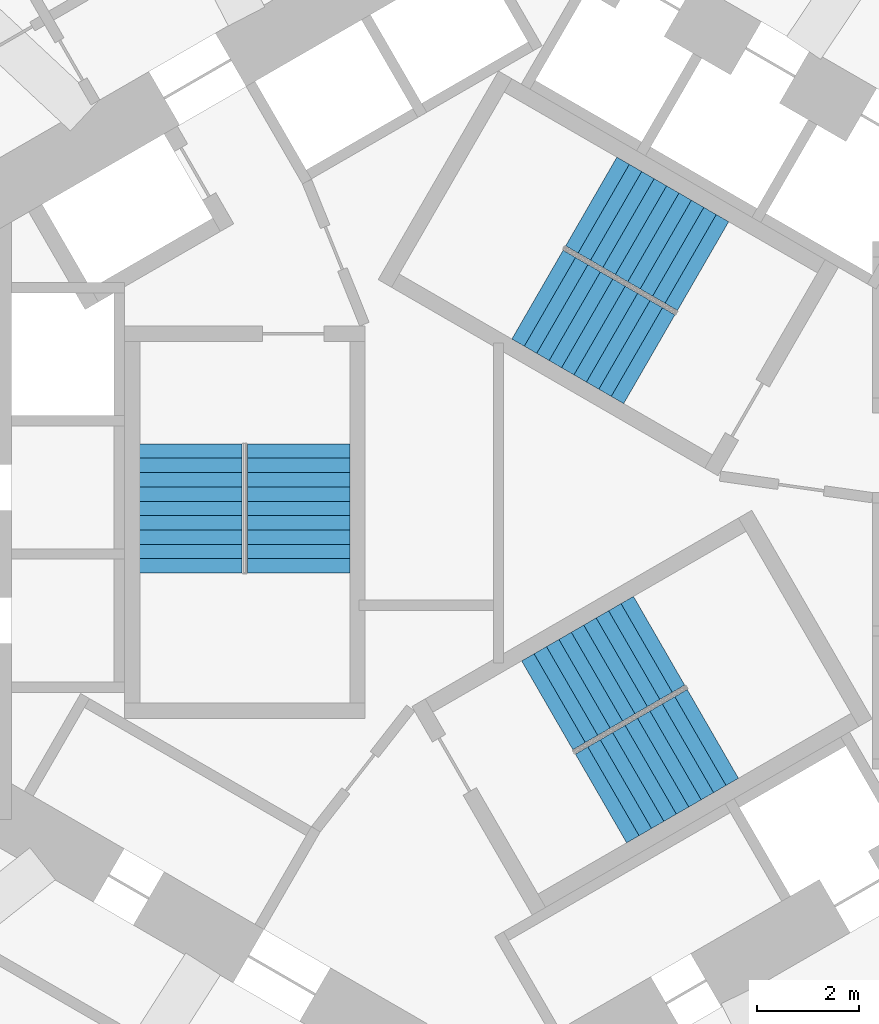
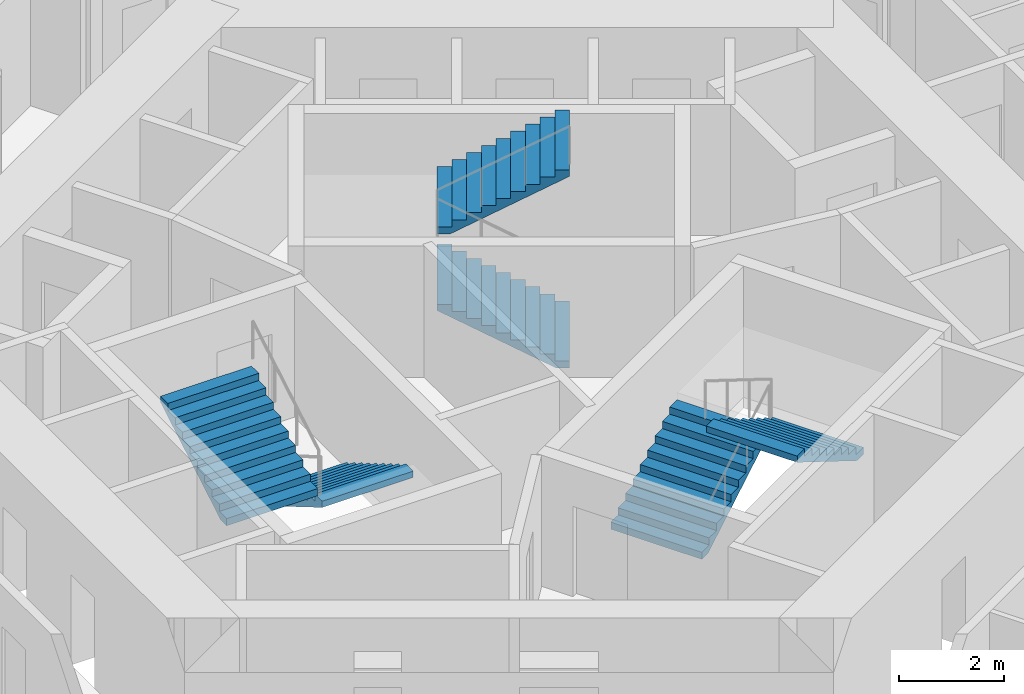
# One storey, part 10 of 12: 6 stair flights, 3 elements without a shape of their own.
"""IFC4 building model written with IfcOpenShell, lengths in metres."""

from ifc_helpers import new_model, si_unit, direction, frame, origin, place, context, subcontext, project, spatial, triangles, source, transform, mapped, material, type_object, element, aggregate, save


model = new_model("IFC4")

# Units and contexts
model_context = context("Model", 3, precision=1e-05, world=origin(), true_north=direction((0.0, 1.0)))
body_context = subcontext(model_context, "Body", "Model", "MODEL_VIEW")
ifc_project = project(units=[si_unit("LENGTHUNIT", "METRE"), si_unit("AREAUNIT", "SQUARE_METRE"), si_unit("VOLUMEUNIT", "CUBIC_METRE"), si_unit("PLANEANGLEUNIT", "RADIAN"), si_unit("MASSUNIT", "GRAM", prefix="KILO")], contexts=[model_context])

# Site, building, storey
site_placement = place(None, origin())
site = spatial("IfcSite", under=ifc_project, at=site_placement, CompositionType="ELEMENT")
building_placement = place(site_placement, origin())
building = spatial("IfcBuilding", under=site, at=building_placement, Name="Vanh Sen Convention Tower", CompositionType="ELEMENT")
storey_placement = place(building_placement, frame((0.0, 0.0, 113.300048828125)))
storey = spatial("IfcBuildingStorey", under=building, at=storey_placement, Name="L27", CompositionType="ELEMENT", Elevation=113.300048828125)

# Stair, stair flights
ifc_material_1 = material(Name="Concrete C50/60", Category="concrete")
stair_type_1 = type_object("IfcStairType", Name="Exit stair ST1 20 risers at 165.0", PredefinedType="HALF_TURN_STAIR", material=ifc_material_1)
stair_1_placement = place(storey_placement, origin())
stair_1 = element("IfcStair", 1, at=stair_1_placement, inside=storey, type_object=stair_type_1, Name="Exit stair ST1 L27", PredefinedType="HALF_TURN_STAIR")
ifc_material_2 = material(Name="Concrete C40/50", Category="concrete")
stair_flight_type = type_object("IfcStairFlightType", Name="Stair flight 2000", PredefinedType="STRAIGHT", material=ifc_material_2)
shared_shape = source(origin(), body_context, "Body", "Tessellation", [
    triangles([(0.24609375, 1.0, 0.0), (0.0, 1.0, 0.0), (0.0, 1.0, 0.1650390625), (0.280029296875, 1.0, 0.1650390625), (0.280029296875, 1.0, 0.330078125), (0.56005859375, 1.0, 0.330078125), (0.56005859375, 1.0, 0.4951171875), (0.840087890625, 1.0, 0.4951171875), (0.840087890625, 1.0, 0.659912109375), (1.1201171875, 1.0, 0.659912109375), (1.1201171875, 1.0, 0.824951171875), (1.39990234375, 1.0, 0.824951171875), (1.39990234375, 1.0, 0.989990234375), (1.679931640625, 1.0, 0.989990234375), (1.679931640625, 1.0, 1.155029296875), (1.9599609375, 1.0, 1.155029296875), (1.9599609375, 1.0, 1.320068359375), (2.239990234375, 1.0, 1.320068359375), (2.239990234375, 1.0, 1.485107421875), (2.52001953125, 1.0, 1.485107421875), (2.52001953125, 1.0, 1.33984375), (0.24609375, -1.0, 0.0), (0.0, -1.0, 0.0), (0.0, -1.0, 0.1650390625), (0.280029296875, -1.0, 0.1650390625), (0.280029296875, -1.0, 0.330078125), (0.56005859375, -1.0, 0.330078125), (0.56005859375, -1.0, 0.4951171875), (0.840087890625, -1.0, 0.4951171875), (0.840087890625, -1.0, 0.659912109375), (1.1201171875, -1.0, 0.659912109375), (1.1201171875, -1.0, 0.824951171875), (1.39990234375, -1.0, 0.824951171875), (1.39990234375, -1.0, 0.989990234375), (1.679931640625, -1.0, 0.989990234375), (1.679931640625, -1.0, 1.155029296875), (1.9599609375, -1.0, 1.155029296875), (1.9599609375, -1.0, 1.320068359375), (2.239990234375, -1.0, 1.320068359375), (2.239990234375, -1.0, 1.485107421875), (2.52001953125, -1.0, 1.485107421875), (2.52001953125, -1.0, 1.33984375), (0.0, 0.0400390625, 0.0), (0.0, 0.0390625, 0.0), (0.0, 0.0380859375, 0.0), (0.0, 0.037109375, 0.0), (0.0, 0.035888671875, 0.0), (0.0, 0.034912109375, 0.0), (0.0, 0.033935546875, 0.0), (0.0, 0.032958984375, 0.0), (0.0, 0.031982421875, 0.0), (0.0, 0.031005859375, 0.0), (0.0, 0.030029296875, 0.0), (0.0, 0.029052734375, 0.0), (0.0, 0.028076171875, 0.0), (0.0, 0.027099609375, 0.0), (0.0, 0.02587890625, 0.0), (0.0, 0.02490234375, 0.0), (0.0, 0.02392578125, 0.0), (0.0, 0.02294921875, 0.0), (0.0, 0.02197265625, 0.0), (0.0, 0.02099609375, 0.0), (0.0, 0.02001953125, 0.0), (0.0, 0.01904296875, 0.0), (0.0, 0.01806640625, 0.0), (0.0, 0.01708984375, 0.0), (0.0, 0.01611328125, 0.0), (0.0, 0.014892578125, 0.0), (0.0, 0.013916015625, 0.0), (0.0, 0.012939453125, 0.0), (0.0, 0.011962890625, 0.0), (0.0, 0.010986328125, 0.0), (0.0, 0.010009765625, 0.0), (0.0, 0.009033203125, 0.0), (0.0, 0.008056640625, 0.0), (0.0, 0.007080078125, 0.0), (0.0, 0.006103515625, 0.0), (0.0, 0.0048828125, 0.0), (0.0, 0.00390625, 0.0), (0.0, 0.0029296875, 0.0), (0.0, 0.001953125, 0.0), (0.0, 0.0009765625, 0.0), (0.0, 0.0, 0.0), (0.0, -0.0009765625, 0.0), (0.0, -0.001953125, 0.0), (0.0, -0.0029296875, 0.0), (0.0, -0.00390625, 0.0), (0.0, -0.0048828125, 0.0), (0.0, -0.006103515625, 0.0), (0.0, -0.007080078125, 0.0), (0.0, -0.008056640625, 0.0), (0.0, -0.009033203125, 0.0), (0.0, -0.010009765625, 0.0), (0.0, -0.010986328125, 0.0), (0.0, -0.011962890625, 0.0), (0.0, -0.012939453125, 0.0), (0.0, -0.013916015625, 0.0), (0.0, -0.014892578125, 0.0), (0.0, -0.01611328125, 0.0), (0.0, -0.01708984375, 0.0), (0.0, -0.01806640625, 0.0), (0.0, -0.01904296875, 0.0), (0.0, -0.02001953125, 0.0), (0.0, -0.02099609375, 0.0), (0.0, -0.02197265625, 0.0), (0.0, -0.02294921875, 0.0), (0.0, -0.02392578125, 0.0), (0.0, -0.02490234375, 0.0), (0.0, -0.02587890625, 0.0), (0.0, -0.027099609375, 0.0), (0.0, -0.028076171875, 0.0), (0.0, -0.029052734375, 0.0), (0.0, -0.030029296875, 0.0), (0.0, -0.031005859375, 0.0), (0.0, -0.031982421875, 0.0), (0.0, -0.032958984375, 0.0), (0.0, -0.033935546875, 0.0), (0.0, -0.034912109375, 0.0), (0.0, -0.035888671875, 0.0), (0.0, -0.037109375, 0.0), (0.0, -0.0380859375, 0.0), (0.0, -0.0390625, 0.0), (0.0, -0.0400390625, 0.0), (0.0, 0.0400390625, 0.1650390625), (0.0, 0.0390625, 0.1650390625), (0.0, 0.0380859375, 0.1650390625), (0.0, 0.037109375, 0.1650390625), (0.0, 0.035888671875, 0.1650390625), (0.0, 0.034912109375, 0.1650390625), (0.0, 0.033935546875, 0.1650390625), (0.0, 0.032958984375, 0.1650390625), (0.0, 0.031982421875, 0.1650390625), (0.0, 0.031005859375, 0.1650390625), (0.0, 0.030029296875, 0.1650390625), (0.0, 0.029052734375, 0.1650390625), (0.0, 0.028076171875, 0.1650390625), (0.0, 0.027099609375, 0.1650390625), (0.0, 0.02587890625, 0.1650390625), (0.0, 0.02490234375, 0.1650390625), (0.0, 0.02392578125, 0.1650390625), (0.0, 0.02294921875, 0.1650390625), (0.0, 0.02197265625, 0.1650390625), (0.0, 0.02099609375, 0.1650390625), (0.0, 0.02001953125, 0.1650390625), (0.0, 0.01904296875, 0.1650390625), (0.0, 0.01806640625, 0.1650390625), (0.0, 0.01708984375, 0.1650390625), (0.0, 0.01611328125, 0.1650390625), (0.0, 0.014892578125, 0.1650390625), (0.0, 0.013916015625, 0.1650390625), (0.0, 0.012939453125, 0.1650390625), (0.0, 0.011962890625, 0.1650390625), (0.0, 0.010986328125, 0.1650390625), (0.0, 0.010009765625, 0.1650390625), (0.0, 0.009033203125, 0.1650390625), (0.0, 0.008056640625, 0.1650390625), (0.0, 0.007080078125, 0.1650390625), (0.0, 0.006103515625, 0.1650390625), (0.0, 0.0048828125, 0.1650390625), (0.0, 0.00390625, 0.1650390625), (0.0, 0.0029296875, 0.1650390625), (0.0, 0.001953125, 0.1650390625), (0.0, 0.0009765625, 0.1650390625), (0.0, 0.0, 0.1650390625), (0.0, -0.0009765625, 0.1650390625), (0.0, -0.001953125, 0.1650390625), (0.0, -0.0029296875, 0.1650390625), (0.0, -0.00390625, 0.1650390625), (0.0, -0.0048828125, 0.1650390625), (0.0, -0.006103515625, 0.1650390625), (0.0, -0.007080078125, 0.1650390625), (0.0, -0.008056640625, 0.1650390625), (0.0, -0.009033203125, 0.1650390625), (0.0, -0.010009765625, 0.1650390625), (0.0, -0.010986328125, 0.1650390625), (0.0, -0.011962890625, 0.1650390625), (0.0, -0.012939453125, 0.1650390625), (0.0, -0.013916015625, 0.1650390625), (0.0, -0.014892578125, 0.1650390625), (0.0, -0.01611328125, 0.1650390625), (0.0, -0.01708984375, 0.1650390625), (0.0, -0.01806640625, 0.1650390625), (0.0, -0.01904296875, 0.1650390625), (0.0, -0.02001953125, 0.1650390625), (0.0, -0.02099609375, 0.1650390625), (0.0, -0.02197265625, 0.1650390625), (0.0, -0.02294921875, 0.1650390625), (0.0, -0.02392578125, 0.1650390625), (0.0, -0.02490234375, 0.1650390625), (0.0, -0.02587890625, 0.1650390625), (0.0, -0.027099609375, 0.1650390625), (0.0, -0.028076171875, 0.1650390625), (0.0, -0.029052734375, 0.1650390625), (0.0, -0.030029296875, 0.1650390625), (0.0, -0.031005859375, 0.1650390625), (0.0, -0.031982421875, 0.1650390625), (0.0, -0.032958984375, 0.1650390625), (0.0, -0.033935546875, 0.1650390625), (0.0, -0.034912109375, 0.1650390625), (0.0, -0.035888671875, 0.1650390625), (0.0, -0.037109375, 0.1650390625), (0.0, -0.0380859375, 0.1650390625), (0.0, -0.0390625, 0.1650390625), (0.0, -0.0400390625, 0.1650390625), (0.280029296875, 0.0, 0.1650390625), (0.280029296875, 0.0, 0.330078125), (0.56005859375, 0.0, 0.330078125), (0.56005859375, 0.0, 0.4951171875), (0.840087890625, 0.0, 0.4951171875), (0.840087890625, 0.0, 0.659912109375), (1.1201171875, 0.0, 0.659912109375), (1.1201171875, 0.0, 0.824951171875), (1.39990234375, 0.0, 0.824951171875), (1.39990234375, 0.0, 0.989990234375), (1.679931640625, 0.0, 0.989990234375), (1.679931640625, 0.0, 1.155029296875), (1.9599609375, 0.0, 1.155029296875), (1.9599609375, 0.0, 1.320068359375), (2.239990234375, 0.0, 1.320068359375), (2.239990234375, 0.0, 1.485107421875), (2.52001953125, 0.0400390625, 1.485107421875), (2.52001953125, 0.0390625, 1.485107421875), (2.52001953125, 0.0380859375, 1.485107421875), (2.52001953125, 0.037109375, 1.485107421875), (2.52001953125, 0.035888671875, 1.485107421875), (2.52001953125, 0.034912109375, 1.485107421875), (2.52001953125, 0.033935546875, 1.485107421875), (2.52001953125, 0.032958984375, 1.485107421875), (2.52001953125, 0.031982421875, 1.485107421875), (2.52001953125, 0.031005859375, 1.485107421875), (2.52001953125, 0.030029296875, 1.485107421875), (2.52001953125, 0.029052734375, 1.485107421875), (2.52001953125, 0.028076171875, 1.485107421875), (2.52001953125, 0.027099609375, 1.485107421875), (2.52001953125, 0.02587890625, 1.485107421875), (2.52001953125, 0.02490234375, 1.485107421875), (2.52001953125, 0.02392578125, 1.485107421875), (2.52001953125, 0.02294921875, 1.485107421875), (2.52001953125, 0.02197265625, 1.485107421875), (2.52001953125, 0.02099609375, 1.485107421875), (2.52001953125, 0.02001953125, 1.485107421875), (2.52001953125, 0.01904296875, 1.485107421875), (2.52001953125, 0.01806640625, 1.485107421875), (2.52001953125, 0.01708984375, 1.485107421875), (2.52001953125, 0.01611328125, 1.485107421875), (2.52001953125, 0.014892578125, 1.485107421875), (2.52001953125, 0.013916015625, 1.485107421875), (2.52001953125, 0.012939453125, 1.485107421875), (2.52001953125, 0.011962890625, 1.485107421875), (2.52001953125, 0.010986328125, 1.485107421875), (2.52001953125, 0.010009765625, 1.485107421875), (2.52001953125, 0.009033203125, 1.485107421875), (2.52001953125, 0.008056640625, 1.485107421875), (2.52001953125, 0.007080078125, 1.485107421875), (2.52001953125, 0.006103515625, 1.485107421875), (2.52001953125, 0.0048828125, 1.485107421875), (2.52001953125, 0.00390625, 1.485107421875), (2.52001953125, 0.0029296875, 1.485107421875), (2.52001953125, 0.001953125, 1.485107421875), (2.52001953125, 0.0009765625, 1.485107421875), (2.52001953125, 0.0, 1.485107421875), (2.52001953125, -0.0009765625, 1.485107421875), (2.52001953125, -0.001953125, 1.485107421875), (2.52001953125, -0.0029296875, 1.485107421875), (2.52001953125, -0.00390625, 1.485107421875), (2.52001953125, -0.0048828125, 1.485107421875), (2.52001953125, -0.006103515625, 1.485107421875), (2.52001953125, -0.007080078125, 1.485107421875), (2.52001953125, -0.008056640625, 1.485107421875), (2.52001953125, -0.009033203125, 1.485107421875), (2.52001953125, -0.010009765625, 1.485107421875), (2.52001953125, -0.010986328125, 1.485107421875), (2.52001953125, -0.011962890625, 1.485107421875), (2.52001953125, -0.012939453125, 1.485107421875), (2.52001953125, -0.013916015625, 1.485107421875), (2.52001953125, -0.014892578125, 1.485107421875), (2.52001953125, -0.01611328125, 1.485107421875), (2.52001953125, -0.01708984375, 1.485107421875), (2.52001953125, -0.01806640625, 1.485107421875), (2.52001953125, -0.01904296875, 1.485107421875), (2.52001953125, -0.02001953125, 1.485107421875), (2.52001953125, -0.02099609375, 1.485107421875), (2.52001953125, -0.02197265625, 1.485107421875), (2.52001953125, -0.02294921875, 1.485107421875), (2.52001953125, -0.02392578125, 1.485107421875), (2.52001953125, -0.02490234375, 1.485107421875), (2.52001953125, -0.02587890625, 1.485107421875), (2.52001953125, -0.027099609375, 1.485107421875), (2.52001953125, -0.028076171875, 1.485107421875), (2.52001953125, -0.029052734375, 1.485107421875), (2.52001953125, -0.030029296875, 1.485107421875), (2.52001953125, -0.031005859375, 1.485107421875), (2.52001953125, -0.031982421875, 1.485107421875), (2.52001953125, -0.032958984375, 1.485107421875), (2.52001953125, -0.033935546875, 1.485107421875), (2.52001953125, -0.034912109375, 1.485107421875), (2.52001953125, -0.035888671875, 1.485107421875), (2.52001953125, -0.037109375, 1.485107421875), (2.52001953125, -0.0380859375, 1.485107421875), (2.52001953125, -0.0390625, 1.485107421875), (2.52001953125, -0.0400390625, 1.485107421875), (2.52001953125, 0.0400390625, 1.33984375), (2.52001953125, 0.0390625, 1.33984375), (2.52001953125, 0.0380859375, 1.33984375), (2.52001953125, 0.037109375, 1.33984375), (2.52001953125, 0.035888671875, 1.33984375), (2.52001953125, 0.034912109375, 1.33984375), (2.52001953125, 0.033935546875, 1.33984375), (2.52001953125, 0.032958984375, 1.33984375), (2.52001953125, 0.031982421875, 1.33984375), (2.52001953125, 0.031005859375, 1.33984375), (2.52001953125, 0.030029296875, 1.33984375), (2.52001953125, 0.029052734375, 1.33984375), (2.52001953125, 0.028076171875, 1.33984375), (2.52001953125, 0.027099609375, 1.33984375), (2.52001953125, 0.02587890625, 1.33984375), (2.52001953125, 0.02490234375, 1.33984375), (2.52001953125, 0.02392578125, 1.33984375), (2.52001953125, 0.02294921875, 1.33984375), (2.52001953125, 0.02197265625, 1.33984375), (2.52001953125, 0.02099609375, 1.33984375), (2.52001953125, 0.02001953125, 1.33984375), (2.52001953125, 0.01904296875, 1.33984375), (2.52001953125, 0.01806640625, 1.33984375), (2.52001953125, 0.01708984375, 1.33984375), (2.52001953125, 0.01611328125, 1.33984375), (2.52001953125, 0.014892578125, 1.33984375), (2.52001953125, 0.013916015625, 1.33984375), (2.52001953125, 0.012939453125, 1.33984375), (2.52001953125, 0.011962890625, 1.33984375), (2.52001953125, 0.010986328125, 1.33984375), (2.52001953125, 0.010009765625, 1.33984375), (2.52001953125, 0.009033203125, 1.33984375), (2.52001953125, 0.008056640625, 1.33984375), (2.52001953125, 0.007080078125, 1.33984375), (2.52001953125, 0.006103515625, 1.33984375), (2.52001953125, 0.0048828125, 1.33984375), (2.52001953125, 0.00390625, 1.33984375), (2.52001953125, 0.0029296875, 1.33984375), (2.52001953125, 0.001953125, 1.33984375), (2.52001953125, 0.0009765625, 1.33984375), (2.52001953125, 0.0, 1.33984375), (2.52001953125, -0.0009765625, 1.33984375), (2.52001953125, -0.001953125, 1.33984375), (2.52001953125, -0.0029296875, 1.33984375), (2.52001953125, -0.00390625, 1.33984375), (2.52001953125, -0.0048828125, 1.33984375), (2.52001953125, -0.006103515625, 1.33984375), (2.52001953125, -0.007080078125, 1.33984375), (2.52001953125, -0.008056640625, 1.33984375), (2.52001953125, -0.009033203125, 1.33984375), (2.52001953125, -0.010009765625, 1.33984375), (2.52001953125, -0.010986328125, 1.33984375), (2.52001953125, -0.011962890625, 1.33984375), (2.52001953125, -0.012939453125, 1.33984375), (2.52001953125, -0.013916015625, 1.33984375), (2.52001953125, -0.014892578125, 1.33984375), (2.52001953125, -0.01611328125, 1.33984375), (2.52001953125, -0.01708984375, 1.33984375), (2.52001953125, -0.01806640625, 1.33984375), (2.52001953125, -0.01904296875, 1.33984375), (2.52001953125, -0.02001953125, 1.33984375), (2.52001953125, -0.02099609375, 1.33984375), (2.52001953125, -0.02197265625, 1.33984375), (2.52001953125, -0.02294921875, 1.33984375), (2.52001953125, -0.02392578125, 1.33984375), (2.52001953125, -0.02490234375, 1.33984375), (2.52001953125, -0.02587890625, 1.33984375), (2.52001953125, -0.027099609375, 1.33984375), (2.52001953125, -0.028076171875, 1.33984375), (2.52001953125, -0.029052734375, 1.33984375), (2.52001953125, -0.030029296875, 1.33984375), (2.52001953125, -0.031005859375, 1.33984375), (2.52001953125, -0.031982421875, 1.33984375), (2.52001953125, -0.032958984375, 1.33984375), (2.52001953125, -0.033935546875, 1.33984375), (2.52001953125, -0.034912109375, 1.33984375), (2.52001953125, -0.035888671875, 1.33984375), (2.52001953125, -0.037109375, 1.33984375), (2.52001953125, -0.0380859375, 1.33984375), (2.52001953125, -0.0390625, 1.33984375), (2.52001953125, -0.0400390625, 1.33984375), (0.24609375, 0.0, 0.0)], [[1, 2, 3], [1, 3, 4], [4, 5, 6], [1, 4, 6], [6, 7, 8], [1, 6, 8], [8, 9, 10], [1, 8, 10], [10, 11, 12], [1, 10, 12], [12, 13, 14], [1, 12, 14], [14, 15, 16], [1, 14, 16], [16, 17, 18], [1, 16, 18], [18, 19, 20], [1, 18, 20], [20, 21, 1], [22, 24, 23], [22, 25, 24], [25, 27, 26], [22, 27, 25], [27, 29, 28], [22, 29, 27], [29, 31, 30], [22, 31, 29], [31, 33, 32], [22, 33, 31], [33, 35, 34], [22, 35, 33], [35, 37, 36], [22, 37, 35], [37, 39, 38], [22, 39, 37], [39, 41, 40], [22, 41, 39], [41, 22, 42], [2, 124, 3], [2, 43, 124], [43, 125, 124], [43, 44, 125], [44, 126, 125], [44, 45, 126], [45, 127, 126], [45, 46, 127], [46, 128, 127], [46, 47, 128], [47, 129, 128], [47, 48, 129], [48, 130, 129], [48, 49, 130], [49, 131, 130], [49, 50, 131], [50, 132, 131], [50, 51, 132], [51, 133, 132], [51, 52, 133], [52, 134, 133], [52, 53, 134], [53, 135, 134], [53, 54, 135], [54, 136, 135], [54, 55, 136], [55, 137, 136], [55, 56, 137], [56, 138, 137], [56, 57, 138], [57, 139, 138], [57, 58, 139], [58, 140, 139], [58, 59, 140], [59, 141, 140], [59, 60, 141], [60, 142, 141], [60, 61, 142], [61, 143, 142], [61, 62, 143], [62, 144, 143], [62, 63, 144], [63, 145, 144], [63, 64, 145], [64, 146, 145], [64, 65, 146], [65, 147, 146], [65, 66, 147], [66, 148, 147], [66, 67, 148], [67, 149, 148], [67, 68, 149], [68, 150, 149], [68, 69, 150], [69, 151, 150], [69, 70, 151], [70, 152, 151], [70, 71, 152], [71, 153, 152], [71, 72, 153], [72, 154, 153], [72, 73, 154], [73, 155, 154], [73, 74, 155], [74, 156, 155], [74, 75, 156], [75, 157, 156], [75, 76, 157], [76, 158, 157], [76, 77, 158], [77, 159, 158], [77, 78, 159], [78, 160, 159], [78, 79, 160], [79, 161, 160], [79, 80, 161], [80, 162, 161], [80, 81, 162], [81, 163, 162], [81, 82, 163], [82, 164, 163], [82, 83, 164], [83, 84, 164], [164, 84, 165], [84, 85, 165], [165, 85, 166], [85, 86, 166], [166, 86, 167], [86, 87, 167], [167, 87, 168], [87, 88, 168], [168, 88, 169], [88, 89, 169], [169, 89, 170], [89, 90, 170], [170, 90, 171], [90, 91, 171], [171, 91, 172], [91, 92, 172], [172, 92, 173], [92, 93, 173], [173, 93, 174], [93, 94, 174], [174, 94, 175], [94, 95, 175], [175, 95, 176], [95, 96, 176], [176, 96, 177], [96, 97, 177], [177, 97, 178], [97, 98, 178], [178, 98, 179], [98, 99, 179], [179, 99, 180], [99, 100, 180], [180, 100, 181], [100, 101, 181], [181, 101, 182], [101, 102, 182], [182, 102, 183], [102, 103, 183], [183, 103, 184], [103, 104, 184], [184, 104, 185], [104, 105, 185], [185, 105, 186], [105, 106, 186], [186, 106, 187], [106, 107, 187], [187, 107, 188], [107, 108, 188], [188, 108, 189], [108, 109, 189], [189, 109, 190], [109, 110, 190], [190, 110, 191], [110, 111, 191], [191, 111, 192], [111, 112, 192], [192, 112, 193], [112, 113, 193], [193, 113, 194], [113, 114, 194], [194, 114, 195], [114, 115, 195], [195, 115, 196], [115, 116, 196], [196, 116, 197], [116, 117, 197], [197, 117, 198], [117, 118, 198], [198, 118, 199], [118, 119, 199], [199, 119, 200], [119, 120, 200], [200, 120, 201], [120, 121, 201], [201, 121, 202], [121, 122, 202], [202, 122, 203], [122, 123, 203], [203, 123, 204], [123, 23, 204], [204, 23, 24], [4, 3, 124], [4, 124, 125], [4, 125, 126], [4, 126, 127], [4, 127, 128], [4, 128, 129], [4, 129, 130], [4, 130, 131], [4, 131, 132], [4, 132, 133], [4, 133, 134], [4, 134, 135], [4, 135, 136], [4, 136, 137], [4, 137, 138], [4, 138, 139], [4, 139, 140], [4, 140, 141], [4, 141, 142], [4, 142, 143], [4, 143, 144], [4, 144, 145], [4, 145, 146], [4, 146, 147], [4, 147, 148], [4, 148, 149], [4, 149, 150], [4, 150, 151], [4, 151, 152], [4, 152, 153], [4, 153, 154], [4, 154, 155], [4, 155, 156], [4, 156, 157], [4, 157, 158], [4, 158, 159], [4, 159, 160], [4, 160, 161], [4, 161, 162], [4, 162, 163], [4, 163, 164], [25, 164, 165], [25, 165, 166], [25, 166, 167], [25, 167, 168], [25, 168, 169], [25, 169, 170], [25, 170, 171], [25, 171, 172], [25, 172, 173], [25, 173, 174], [25, 174, 175], [25, 175, 176], [25, 176, 177], [25, 177, 178], [25, 178, 179], [25, 179, 180], [25, 180, 181], [25, 181, 182], [25, 182, 183], [25, 183, 184], [25, 184, 185], [25, 185, 186], [25, 186, 187], [25, 187, 188], [25, 188, 189], [25, 189, 190], [25, 190, 191], [25, 191, 192], [25, 192, 193], [25, 193, 194], [25, 194, 195], [25, 195, 196], [25, 196, 197], [25, 197, 198], [25, 198, 199], [25, 199, 200], [25, 200, 201], [25, 201, 202], [25, 202, 203], [25, 203, 204], [25, 204, 24], [4, 164, 205], [25, 205, 164], [4, 206, 5], [4, 205, 206], [205, 25, 206], [206, 25, 26], [5, 207, 6], [5, 206, 207], [206, 26, 207], [207, 26, 27], [6, 208, 7], [6, 207, 208], [207, 27, 208], [208, 27, 28], [7, 209, 8], [7, 208, 209], [208, 28, 209], [209, 28, 29], [8, 210, 9], [8, 209, 210], [209, 29, 210], [210, 29, 30], [9, 211, 10], [9, 210, 211], [210, 30, 211], [211, 30, 31], [10, 212, 11], [10, 211, 212], [211, 31, 212], [212, 31, 32], [11, 213, 12], [11, 212, 213], [212, 32, 213], [213, 32, 33], [12, 214, 13], [12, 213, 214], [213, 33, 214], [214, 33, 34], [13, 215, 14], [13, 214, 215], [214, 34, 215], [215, 34, 35], [14, 216, 15], [14, 215, 216], [215, 35, 216], [216, 35, 36], [15, 217, 16], [15, 216, 217], [216, 36, 217], [217, 36, 37], [16, 218, 17], [16, 217, 218], [217, 37, 218], [218, 37, 38], [17, 219, 18], [17, 218, 219], [218, 38, 219], [219, 38, 39], [18, 220, 19], [18, 219, 220], [219, 39, 220], [220, 39, 40], [19, 221, 20], [19, 222, 221], [19, 223, 222], [19, 224, 223], [19, 225, 224], [19, 226, 225], [19, 227, 226], [19, 228, 227], [19, 229, 228], [19, 230, 229], [19, 231, 230], [19, 232, 231], [19, 233, 232], [19, 234, 233], [19, 235, 234], [19, 236, 235], [19, 237, 236], [19, 238, 237], [19, 239, 238], [19, 240, 239], [19, 241, 240], [19, 242, 241], [19, 243, 242], [19, 244, 243], [19, 245, 244], [19, 246, 245], [19, 247, 246], [19, 248, 247], [19, 249, 248], [19, 250, 249], [19, 251, 250], [19, 252, 251], [19, 253, 252], [19, 254, 253], [19, 255, 254], [19, 256, 255], [19, 257, 256], [19, 258, 257], [19, 259, 258], [19, 260, 259], [19, 261, 260], [40, 262, 261], [40, 263, 262], [40, 264, 263], [40, 265, 264], [40, 266, 265], [40, 267, 266], [40, 268, 267], [40, 269, 268], [40, 270, 269], [40, 271, 270], [40, 272, 271], [40, 273, 272], [40, 274, 273], [40, 275, 274], [40, 276, 275], [40, 277, 276], [40, 278, 277], [40, 279, 278], [40, 280, 279], [40, 281, 280], [40, 282, 281], [40, 283, 282], [40, 284, 283], [40, 285, 284], [40, 286, 285], [40, 287, 286], [40, 288, 287], [40, 289, 288], [40, 290, 289], [40, 291, 290], [40, 292, 291], [40, 293, 292], [40, 294, 293], [40, 295, 294], [40, 296, 295], [40, 297, 296], [40, 298, 297], [40, 299, 298], [40, 300, 299], [40, 301, 300], [40, 41, 301], [19, 220, 261], [40, 261, 220], [20, 302, 21], [20, 221, 302], [221, 303, 302], [221, 222, 303], [222, 304, 303], [222, 223, 304], [223, 305, 304], [223, 224, 305], [224, 306, 305], [224, 225, 306], [225, 307, 306], [225, 226, 307], [226, 308, 307], [226, 227, 308], [227, 309, 308], [227, 228, 309], [228, 310, 309], [228, 229, 310], [229, 311, 310], [229, 230, 311], [230, 312, 311], [230, 231, 312], [231, 313, 312], [231, 232, 313], [232, 314, 313], [232, 233, 314], [233, 315, 314], [233, 234, 315], [234, 316, 315], [234, 235, 316], [235, 317, 316], [235, 236, 317], [236, 318, 317], [236, 237, 318], [237, 319, 318], [237, 238, 319], [238, 320, 319], [238, 239, 320], [239, 321, 320], [239, 240, 321], [240, 322, 321], [240, 241, 322], [241, 323, 322], [241, 242, 323], [242, 324, 323], [242, 243, 324], [243, 325, 324], [243, 244, 325], [244, 326, 325], [244, 245, 326], [245, 327, 326], [245, 246, 327], [246, 328, 327], [246, 247, 328], [247, 329, 328], [247, 248, 329], [248, 330, 329], [248, 249, 330], [249, 331, 330], [249, 250, 331], [250, 332, 331], [250, 251, 332], [251, 333, 332], [251, 252, 333], [252, 334, 333], [252, 253, 334], [253, 335, 334], [253, 254, 335], [254, 336, 335], [254, 255, 336], [255, 337, 336], [255, 256, 337], [256, 338, 337], [256, 257, 338], [257, 339, 338], [257, 258, 339], [258, 340, 339], [258, 259, 340], [259, 341, 340], [259, 260, 341], [260, 342, 341], [260, 261, 342], [261, 262, 342], [342, 262, 343], [262, 263, 343], [343, 263, 344], [263, 264, 344], [344, 264, 345], [264, 265, 345], [345, 265, 346], [265, 266, 346], [346, 266, 347], [266, 267, 347], [347, 267, 348], [267, 268, 348], [348, 268, 349], [268, 269, 349], [349, 269, 350], [269, 270, 350], [350, 270, 351], [270, 271, 351], [351, 271, 352], [271, 272, 352], [352, 272, 353], [272, 273, 353], [353, 273, 354], [273, 274, 354], [354, 274, 355], [274, 275, 355], [355, 275, 356], [275, 276, 356], [356, 276, 357], [276, 277, 357], [357, 277, 358], [277, 278, 358], [358, 278, 359], [278, 279, 359], [359, 279, 360], [279, 280, 360], [360, 280, 361], [280, 281, 361], [361, 281, 362], [281, 282, 362], [362, 282, 363], [282, 283, 363], [363, 283, 364], [283, 284, 364], [364, 284, 365], [284, 285, 365], [365, 285, 366], [285, 286, 366], [366, 286, 367], [286, 287, 367], [367, 287, 368], [287, 288, 368], [368, 288, 369], [288, 289, 369], [369, 289, 370], [289, 290, 370], [370, 290, 371], [290, 291, 371], [371, 291, 372], [291, 292, 372], [372, 292, 373], [292, 293, 373], [373, 293, 374], [293, 294, 374], [374, 294, 375], [294, 295, 375], [375, 295, 376], [295, 296, 376], [376, 296, 377], [296, 297, 377], [377, 297, 378], [297, 298, 378], [378, 298, 379], [298, 299, 379], [379, 299, 380], [299, 300, 380], [380, 300, 381], [300, 301, 381], [381, 301, 382], [301, 41, 382], [382, 41, 42], [1, 21, 302], [1, 302, 303], [1, 303, 304], [1, 304, 305], [1, 305, 306], [1, 306, 307], [1, 307, 308], [1, 308, 309], [1, 309, 310], [1, 310, 311], [1, 311, 312], [1, 312, 313], [1, 313, 314], [1, 314, 315], [1, 315, 316], [1, 316, 317], [1, 317, 318], [1, 318, 319], [1, 319, 320], [1, 320, 321], [1, 321, 322], [1, 322, 323], [1, 323, 324], [1, 324, 325], [1, 325, 326], [1, 326, 327], [1, 327, 328], [1, 328, 329], [1, 329, 330], [1, 330, 331], [1, 331, 332], [1, 332, 333], [1, 333, 334], [1, 334, 335], [1, 335, 336], [1, 336, 337], [1, 337, 338], [1, 338, 339], [1, 339, 340], [1, 340, 341], [1, 341, 342], [22, 342, 343], [22, 343, 344], [22, 344, 345], [22, 345, 346], [22, 346, 347], [22, 347, 348], [22, 348, 349], [22, 349, 350], [22, 350, 351], [22, 351, 352], [22, 352, 353], [22, 353, 354], [22, 354, 355], [22, 355, 356], [22, 356, 357], [22, 357, 358], [22, 358, 359], [22, 359, 360], [22, 360, 361], [22, 361, 362], [22, 362, 363], [22, 363, 364], [22, 364, 365], [22, 365, 366], [22, 366, 367], [22, 367, 368], [22, 368, 369], [22, 369, 370], [22, 370, 371], [22, 371, 372], [22, 372, 373], [22, 373, 374], [22, 374, 375], [22, 375, 376], [22, 376, 377], [22, 377, 378], [22, 378, 379], [22, 379, 380], [22, 380, 381], [22, 381, 382], [22, 382, 42], [1, 342, 383], [22, 383, 342], [1, 43, 2], [1, 44, 43], [1, 45, 44], [1, 46, 45], [1, 47, 46], [1, 48, 47], [1, 49, 48], [1, 50, 49], [1, 51, 50], [1, 52, 51], [1, 53, 52], [1, 54, 53], [1, 55, 54], [1, 56, 55], [1, 57, 56], [1, 58, 57], [1, 59, 58], [1, 60, 59], [1, 61, 60], [1, 62, 61], [1, 63, 62], [1, 64, 63], [1, 65, 64], [1, 66, 65], [1, 67, 66], [1, 68, 67], [1, 69, 68], [1, 70, 69], [1, 71, 70], [1, 72, 71], [1, 73, 72], [1, 74, 73], [1, 75, 74], [1, 76, 75], [1, 77, 76], [1, 78, 77], [1, 79, 78], [1, 80, 79], [1, 81, 80], [1, 82, 81], [1, 83, 82], [22, 84, 83], [22, 85, 84], [22, 86, 85], [22, 87, 86], [22, 88, 87], [22, 89, 88], [22, 90, 89], [22, 91, 90], [22, 92, 91], [22, 93, 92], [22, 94, 93], [22, 95, 94], [22, 96, 95], [22, 97, 96], [22, 98, 97], [22, 99, 98], [22, 100, 99], [22, 101, 100], [22, 102, 101], [22, 103, 102], [22, 104, 103], [22, 105, 104], [22, 106, 105], [22, 107, 106], [22, 108, 107], [22, 109, 108], [22, 110, 109], [22, 111, 110], [22, 112, 111], [22, 113, 112], [22, 114, 113], [22, 115, 114], [22, 116, 115], [22, 117, 116], [22, 118, 117], [22, 119, 118], [22, 120, 119], [22, 121, 120], [22, 122, 121], [22, 123, 122], [22, 23, 123], [1, 383, 83], [22, 83, 383]], closed=True),
])
stair_flight_1_placement = place(storey_placement, frame((2.94580078125, 2.802490234375, 0.0), z_axis=(0.0, 0.0, 1.0), x_axis=(-0.866025403784, 0.5, 0.0)))
stair_flight_1 = element("IfcStairFlight", 2, at=stair_flight_1_placement, type_object=stair_flight_type, Name="ST1 flight 1", NumberOfRisers=10, NumberOfTreads=9, PredefinedType="STRAIGHT", RiserHeight=0.165, TreadLength=0.28, context=body_context, shape_type="MappedRepresentation", body=[
    mapped(shared_shape, transform((0.0, 0.0, 0.0))),
])
stair_flight_2_placement = place(storey_placement, frame((1.8134765625, 5.881103515625, 1.64990234375), z_axis=(0.0, 0.0, 1.0), x_axis=(0.866025403784, -0.5, 0.0)))
stair_flight_2 = element("IfcStairFlight", 3, at=stair_flight_2_placement, type_object=stair_flight_type, Name="ST1 flight 2", NumberOfRisers=10, NumberOfTreads=9, PredefinedType="STRAIGHT", RiserHeight=0.165, TreadLength=0.28, context=body_context, shape_type="MappedRepresentation", body=[
    mapped(shared_shape, transform((0.0, 0.0, 0.0))),
])
aggregate(stair_1, [stair_flight_1, stair_flight_2])

stair_type_2 = type_object("IfcStairType", Name="Exit stair ST2 20 risers at 165.0", PredefinedType="HALF_TURN_STAIR", material=ifc_material_1)
stair_2_placement = place(storey_placement, origin())
stair_2 = element("IfcStair", 4, at=stair_2_placement, inside=storey, type_object=stair_type_2, Name="Exit stair ST2 L27", PredefinedType="HALF_TURN_STAIR")
stair_flight_3_placement = place(storey_placement, frame((-3.89990234375, 1.14990234375, 0.0), z_axis=(0.0, 0.0, 1.0), x_axis=(0.0, -1.0, 0.0)))
stair_flight_3 = element("IfcStairFlight", 5, at=stair_flight_3_placement, type_object=stair_flight_type, Name="ST2 flight 1", NumberOfRisers=10, NumberOfTreads=9, PredefinedType="STRAIGHT", RiserHeight=0.165, TreadLength=0.28, context=body_context, shape_type="MappedRepresentation", body=[
    mapped(shared_shape, transform((0.0, 0.0, 0.0))),
])
stair_flight_4_placement = place(storey_placement, frame((-6.0, -1.3701171875, 1.64990234375), z_axis=(0.0, 0.0, 1.0), x_axis=(0.0, 1.0, 0.0)))
stair_flight_4 = element("IfcStairFlight", 6, at=stair_flight_4_placement, type_object=stair_flight_type, Name="ST2 flight 2", NumberOfRisers=10, NumberOfTreads=9, PredefinedType="STRAIGHT", RiserHeight=0.165, TreadLength=0.28, context=body_context, shape_type="MappedRepresentation", body=[
    mapped(shared_shape, transform((0.0, 0.0, 0.0))),
])
aggregate(stair_2, [stair_flight_3, stair_flight_4])

stair_type_3 = type_object("IfcStairType", Name="Exit stair ST3 20 risers at 165.0", PredefinedType="HALF_TURN_STAIR", material=ifc_material_1)
stair_3_placement = place(storey_placement, origin())
stair_3 = element("IfcStair", 7, at=stair_3_placement, inside=storey, type_object=stair_type_3, Name="Exit stair ST3 L27", PredefinedType="HALF_TURN_STAIR")
stair_flight_5_placement = place(storey_placement, frame((0.9541015625, -3.952392578125, 0.0), z_axis=(0.0, 0.0, 1.0), x_axis=(0.866025403784, 0.5, 0.0)))
stair_flight_5 = element("IfcStairFlight", 8, at=stair_flight_5_placement, type_object=stair_flight_type, Name="ST3 flight 1", NumberOfRisers=10, NumberOfTreads=9, PredefinedType="STRAIGHT", RiserHeight=0.165, TreadLength=0.28, context=body_context, shape_type="MappedRepresentation", body=[
    mapped(shared_shape, transform((0.0, 0.0, 0.0))),
])
stair_flight_6_placement = place(storey_placement, frame((4.1865234375, -4.51123046875, 1.64990234375), z_axis=(0.0, 0.0, 1.0), x_axis=(-0.866025403784, -0.5, 0.0)))
stair_flight_6 = element("IfcStairFlight", 9, at=stair_flight_6_placement, type_object=stair_flight_type, Name="ST3 flight 2", NumberOfRisers=10, NumberOfTreads=9, PredefinedType="STRAIGHT", RiserHeight=0.165, TreadLength=0.28, context=body_context, shape_type="MappedRepresentation", body=[
    mapped(shared_shape, transform((0.0, 0.0, 0.0))),
])
aggregate(stair_3, [stair_flight_5, stair_flight_6])

save(model, "model.ifc")
